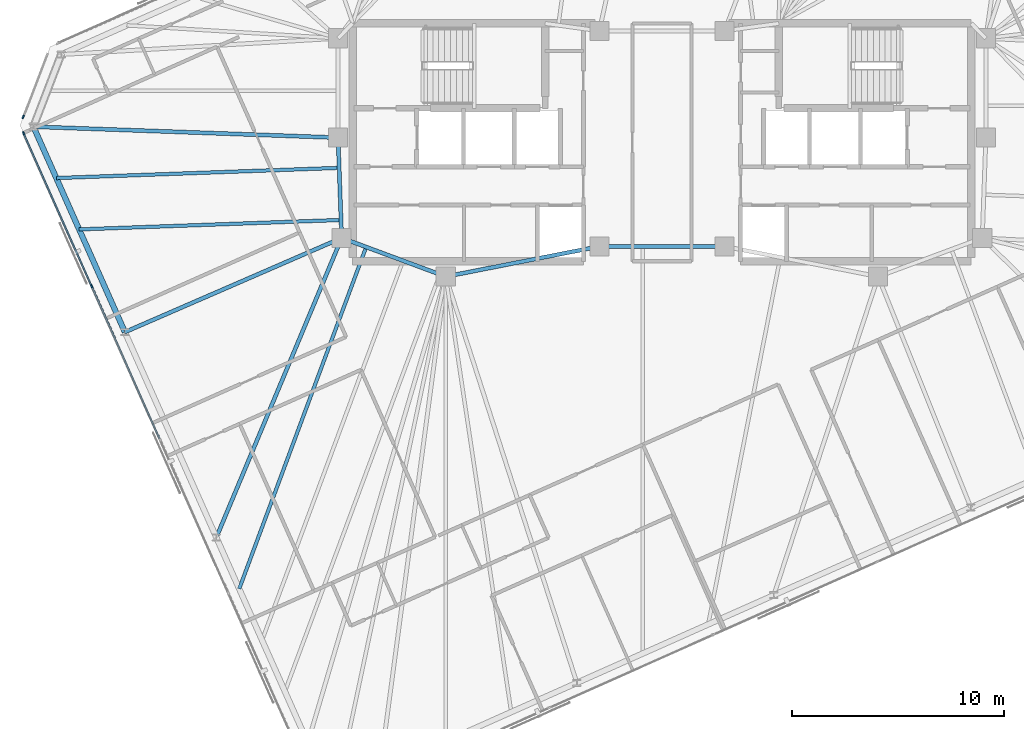
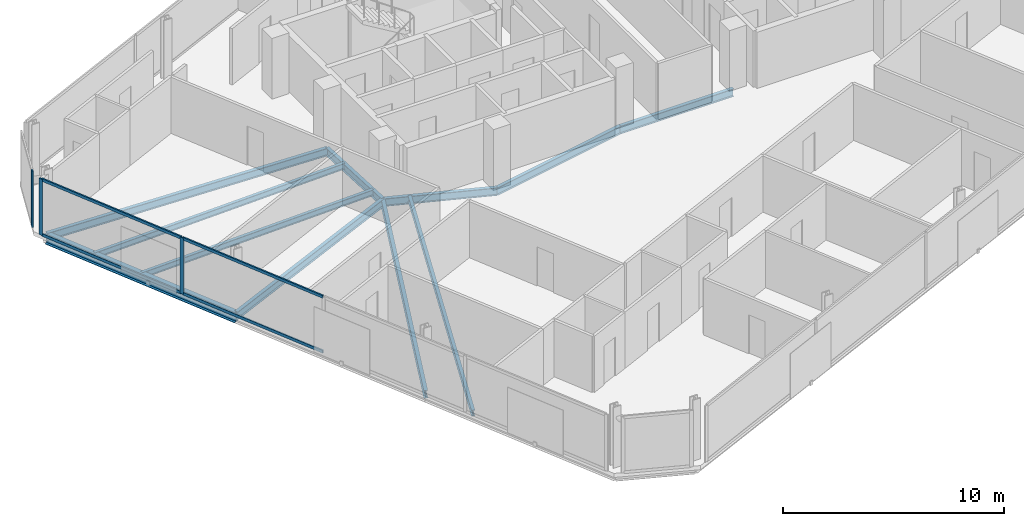
# One storey, part 6 of 18: 11 beams, 7 members, 2 elements without a shape of their own.
"""IFC4 building model written with IfcOpenShell, lengths in metres."""

from ifc_helpers import new_model, si_unit, direction, frame, origin, origin_2d, place, context, subcontext, project, spatial, rectangle, i_section, extrude, material, material_profile, profile_set, type_object, element, aggregate, save


model = new_model("IFC4")

# Units and contexts
model_context = context("Model", 3, precision=1e-05, world=origin(), true_north=direction((0.0, 1.0)))
body_context = subcontext(model_context, "Body", "Model", "MODEL_VIEW")
ifc_project = project(units=[si_unit("LENGTHUNIT", "METRE"), si_unit("AREAUNIT", "SQUARE_METRE"), si_unit("VOLUMEUNIT", "CUBIC_METRE"), si_unit("PLANEANGLEUNIT", "RADIAN"), si_unit("MASSUNIT", "GRAM", prefix="KILO")], contexts=[model_context])

# Site, building, storey
site_placement = place(None, origin())
site = spatial("IfcSite", under=ifc_project, at=site_placement, CompositionType="ELEMENT")
building_placement = place(site_placement, origin())
building = spatial("IfcBuilding", under=site, at=building_placement, Name="Menara Jurai Vektor", CompositionType="ELEMENT")
storey_placement = place(building_placement, frame((0.0, 0.0, 272.25)))
storey = spatial("IfcBuildingStorey", under=building, at=storey_placement, Name="L73", CompositionType="ELEMENT", Elevation=272.25)

# Curtain wall, member
ifc_material_1 = material(Name="Anodised Pale Aluminium & Low-E Double Glazing", Category="aluminium")
curtain_wall_type = type_object("IfcCurtainWallType", Name="CW-BLK5", PredefinedType="NOTDEFINED", material=ifc_material_1)
curtain_wall_1_placement = place(storey_placement, origin())
curtain_wall_1 = element("IfcCurtainWall", 1, at=curtain_wall_1_placement, inside=storey, type_object=curtain_wall_type, Name="Unitised Curtain Wall L73 F06", PredefinedType="NOTDEFINED")
ifc_material_2 = material(Name="Anodised Pale Aluminium Mullion", Category="aluminium")
ifc_material_profile_1 = material_profile(ifc_material_2, rectangle(XDim=0.074951171875, YDim=0.175048828125, at=origin_2d()), Name="ALU MUL 75x175")
ifc_profile_set_1 = profile_set([ifc_material_profile_1], Name="Anodised Pale Aluminium Mullion")
member_type_1 = type_object("IfcMemberType", Name="CW-BLK5-MUL", PredefinedType="MULLION", material=ifc_profile_set_1)
member_1_placement = place(storey_placement, frame((-30.075439453125, 1.197265625, 0.0), z_axis=(0.0, 0.0, 1.0), x_axis=(0.933578193639, -0.358373766287, 0.0)))
member_1 = element("IfcMember", 2, at=member_1_placement, type_object=member_type_1, Name="CW-05 mullion 2", PredefinedType="MULLION", context=body_context, shape_type="SweptSolid", body=[
    extrude(rectangle(XDim=0.074951171875, YDim=0.175048828125, at=origin_2d()), origin(), (0.0, 0.0, 1.0), 3.10009765625),
])
aggregate(curtain_wall_1, [member_1])

# Curtain wall, members
curtain_wall_2_placement = place(storey_placement, origin())
curtain_wall_2 = element("IfcCurtainWall", 3, at=curtain_wall_2_placement, inside=storey, type_object=curtain_wall_type, Name="Unitised Curtain Wall L73 F07", PredefinedType="NOTDEFINED")
member_2_placement = place(storey_placement, frame((-30.055419921875, 0.426025390625, 0.0), z_axis=(0.0, 0.0, 1.0), x_axis=(0.913546127706, 0.406735138086, 0.0)))
member_2 = element("IfcMember", 4, at=member_2_placement, type_object=member_type_1, Name="CW-05 mullion 1", PredefinedType="MULLION", context=body_context, shape_type="SweptSolid", body=[
    extrude(rectangle(XDim=0.074951171875, YDim=0.175048828125, at=origin_2d()), origin(), (0.0, 0.0, 1.0), 3.10009765625),
])
member_3_placement = place(storey_placement, frame((-26.853271484375, -6.765869140625, 0.0), z_axis=(0.0, 0.0, 1.0), x_axis=(0.913546127706, 0.406735138086, 0.0)))
member_3 = element("IfcMember", 5, at=member_3_placement, type_object=member_type_1, Name="CW-05 mullion 2", PredefinedType="MULLION", context=body_context, shape_type="SweptSolid", body=[
    extrude(rectangle(XDim=0.074951171875, YDim=0.175048828125, at=origin_2d()), origin(), (0.0, 0.0, 1.0), 3.10009765625),
])
ifc_material_3 = material(Name="Anodised Pale Aluminium Transom", Category="aluminium")
ifc_material_profile_2 = material_profile(ifc_material_3, rectangle(XDim=0.074951171875, YDim=0.155029296875, at=origin_2d()), Name="ALU TRN 75x155")
ifc_profile_set_2 = profile_set([ifc_material_profile_2], Name="Anodised Pale Aluminium Transom")
member_type_2 = type_object("IfcMemberType", Name="CW-BLK5-TRN", PredefinedType="USERDEFINED", material=ifc_profile_set_2)
member_4_placement = place(storey_placement, frame((-30.0400390625, 0.391845703125, 0.03759765625), z_axis=(0.406713581109, -0.913555725143, 0.0), x_axis=(0.913555725143, 0.406713581109, 0.0)))
member_4 = element("IfcMember", 6, at=member_4_placement, type_object=member_type_2, Name="CW-05 transom 1.1", ObjectType="TRANSOM", PredefinedType="USERDEFINED", context=body_context, shape_type="SweptSolid", body=[
    extrude(rectangle(XDim=0.074951171875, YDim=0.155029296875, at=origin_2d()), origin(), (0.0, 0.0, 1.0), 7.797607421875),
])
member_5_placement = place(storey_placement, frame((-30.0400390625, 0.391845703125, 3.0625), z_axis=(0.406713581109, -0.913555725143, 0.0), x_axis=(0.913555725143, 0.406713581109, 0.0)))
member_5 = element("IfcMember", 7, at=member_5_placement, type_object=member_type_2, Name="CW-05 transom 1.2", ObjectType="TRANSOM", PredefinedType="USERDEFINED", context=body_context, shape_type="SweptSolid", body=[
    extrude(rectangle(XDim=0.074951171875, YDim=0.155029296875, at=origin_2d()), origin(), (0.0, 0.0, 1.0), 7.797607421875),
])
member_6_placement = place(storey_placement, frame((-26.838134765625, -6.800048828125, 0.03759765625), z_axis=(0.406731062496, -0.913547942256, 0.0), x_axis=(0.913547942256, 0.406731062496, 0.0)))
member_6 = element("IfcMember", 8, at=member_6_placement, type_object=member_type_2, Name="CW-05 transom 2.1", ObjectType="TRANSOM", PredefinedType="USERDEFINED", context=body_context, shape_type="SweptSolid", body=[
    extrude(rectangle(XDim=0.074951171875, YDim=0.155029296875, at=origin_2d()), origin(), (0.0, 0.0, 1.0), 7.8349609375),
])
member_7_placement = place(storey_placement, frame((-26.838134765625, -6.800048828125, 3.0625), z_axis=(0.406731062496, -0.913547942256, 0.0), x_axis=(0.913547942256, 0.406731062496, 0.0)))
member_7 = element("IfcMember", 9, at=member_7_placement, type_object=member_type_2, Name="CW-05 transom 2.2", ObjectType="TRANSOM", PredefinedType="USERDEFINED", context=body_context, shape_type="SweptSolid", body=[
    extrude(rectangle(XDim=0.074951171875, YDim=0.155029296875, at=origin_2d()), origin(), (0.0, 0.0, 1.0), 7.8349609375),
])
aggregate(curtain_wall_2, [member_2, member_3, member_4, member_5, member_6, member_7])

# Beams
ifc_material_4 = material(Name="Steel S355", Category="steel")
ifc_material_profile_3 = material_profile(ifc_material_4, i_section(OverallWidth=0.18505859375, OverallDepth=0.429931640625, WebThickness=0.010986328125, FlangeThickness=0.01806640625, at=origin_2d()), Name="PG 430x185x76")
ifc_profile_set_3 = profile_set([ifc_material_profile_3], Name="Steel S355")
beam_type_1 = type_object("IfcBeamType", Name="STR-BM-430", PredefinedType="BEAM", material=ifc_profile_set_3)
beam_1_placement = place(storey_placement, frame((-15.080078125, -4.5, -0.43994140625), z_axis=(-0.035977314146, 0.999352606874, 0.0), x_axis=(-0.999352606874, -0.035977314146, 0.0)))
element("IfcBeam", 10, at=beam_1_placement, inside=storey, type_object=beam_type_1, Name="Core Ring Header Girder L73-CHW-W2", PredefinedType="BEAM", context=body_context, shape_type="SweptSolid", body=[
    extrude(i_section(OverallWidth=0.18505859375, OverallDepth=0.429931640625, WebThickness=0.010986328125, FlangeThickness=0.01806640625, at=origin_2d()), origin(), (0.0, 0.0, 1.0), 4.72314453125),
])
beam_2_placement = place(storey_placement, frame((-15.080078125, -4.5, -0.43994140625), z_axis=(0.937424400887, -0.348188874925, 0.0), x_axis=(0.348188874925, 0.937424400887, 0.0)))
element("IfcBeam", 11, at=beam_2_placement, inside=storey, type_object=beam_type_1, Name="Core Ring Header Girder L73-CHW-S1", PredefinedType="BEAM", context=body_context, shape_type="SweptSolid", body=[
    extrude(i_section(OverallWidth=0.18505859375, OverallDepth=0.429931640625, WebThickness=0.010986328125, FlangeThickness=0.01806640625, at=origin_2d()), origin(), (0.0, 0.0, 1.0), 5.227294921875),
])
beam_3_placement = place(storey_placement, frame((-10.179931640625, -6.320068359375, -0.43994140625), z_axis=(0.981249044334, 0.192744164614, 0.0), x_axis=(-0.192744164614, 0.981249044334, 0.0)))
element("IfcBeam", 12, at=beam_3_placement, inside=storey, type_object=beam_type_1, Name="Core Ring Header Girder L73-CHW-S2", PredefinedType="BEAM", context=body_context, shape_type="SweptSolid", body=[
    extrude(i_section(OverallWidth=0.18505859375, OverallDepth=0.429931640625, WebThickness=0.010986328125, FlangeThickness=0.01806640625, at=origin_2d()), origin(), (0.0, 0.0, 1.0), 7.3681640625),
])
beam_4_placement = place(storey_placement, frame((-2.949951171875, -4.89990234375, -0.43994140625), z_axis=(1.0, 0.0, 0.0), x_axis=(0.0, 1.0, 0.0)))
element("IfcBeam", 13, at=beam_4_placement, inside=storey, type_object=beam_type_1, Name="Core Ring Header Girder L73-CC-1", PredefinedType="BEAM", context=body_context, shape_type="SweptSolid", body=[
    extrude(i_section(OverallWidth=0.18505859375, OverallDepth=0.429931640625, WebThickness=0.010986328125, FlangeThickness=0.01806640625, at=origin_2d()), origin(), (0.0, 0.0, 1.0), 5.89990234375),
])
beam_5_placement = place(storey_placement, frame((-29.591796875, 0.73681640625, -0.43994140625), z_axis=(0.999351273077, -0.03601434436, 0.0), x_axis=(0.03601434436, 0.999351273077, 0.0)))
element("IfcBeam", 14, at=beam_5_placement, inside=storey, type_object=beam_type_1, Name="Radial Floor Girder L73-W1", PredefinedType="BEAM", context=body_context, shape_type="SweptSolid", body=[
    extrude(i_section(OverallWidth=0.18505859375, OverallDepth=0.429931640625, WebThickness=0.010986328125, FlangeThickness=0.01806640625, at=origin_2d()), origin(), (0.0, 0.0, 1.0), 14.35107421875),
])
beam_6_placement = place(storey_placement, frame((-25.286376953125, -8.933349609375, -0.43994140625), z_axis=(0.917207084259, 0.398410798781, 0.0), x_axis=(-0.398410798781, 0.917207084259, 0.0)))
element("IfcBeam", 15, at=beam_6_placement, inside=storey, type_object=beam_type_1, Name="Radial Floor Girder L73-W2", PredefinedType="BEAM", context=body_context, shape_type="SweptSolid", body=[
    extrude(i_section(OverallWidth=0.18505859375, OverallDepth=0.429931640625, WebThickness=0.010986328125, FlangeThickness=0.01806640625, at=origin_2d()), origin(), (0.0, 0.0, 1.0), 11.127685546875),
])
beam_7_placement = place(storey_placement, frame((-20.98095703125, -18.603271484375, -0.43994140625), z_axis=(0.38598134247, 0.922506587112, 0.0), x_axis=(-0.922506587112, 0.38598134247, 0.0)))
element("IfcBeam", 16, at=beam_7_placement, inside=storey, type_object=beam_type_1, Name="Radial Floor Girder L73-W3", PredefinedType="BEAM", context=body_context, shape_type="SweptSolid", body=[
    extrude(i_section(OverallWidth=0.18505859375, OverallDepth=0.429931640625, WebThickness=0.010986328125, FlangeThickness=0.01806640625, at=origin_2d()), origin(), (0.0, 0.0, 1.0), 15.2880859375),
])
ifc_material_profile_4 = material_profile(ifc_material_4, i_section(OverallWidth=0.1650390625, OverallDepth=0.330078125, WebThickness=0.009033203125, FlangeThickness=0.013916015625, at=origin_2d()), Name="PG 330x165x46")
ifc_profile_set_4 = profile_set([ifc_material_profile_4], Name="Steel S355")
beam_type_2 = type_object("IfcBeamType", Name="STR-JS-330", PredefinedType="JOIST", material=ifc_profile_set_4)
beam_8_placement = place(storey_placement, frame((-28.515380859375, -1.6806640625, -0.389892578125), z_axis=(0.999352378837, 0.035983647851, 0.0), x_axis=(-0.035983647851, 0.999352378837, 0.0)))
element("IfcBeam", 17, at=beam_8_placement, inside=storey, type_object=beam_type_2, Name="Radial Secondary Floor Joist L73-JS26", PredefinedType="JOIST", context=body_context, shape_type="SweptSolid", body=[
    extrude(i_section(OverallWidth=0.1650390625, OverallDepth=0.330078125, WebThickness=0.009033203125, FlangeThickness=0.013916015625, at=origin_2d()), origin(), (0.0, 0.0, 1.0), 13.3251953125),
])
beam_9_placement = place(storey_placement, frame((-27.43896484375, -4.09814453125, -0.389892578125), z_axis=(0.999352552329, 0.03597882924, 0.0), x_axis=(-0.03597882924, 0.999352552329, 0.0)))
element("IfcBeam", 18, at=beam_9_placement, inside=storey, type_object=beam_type_2, Name="Radial Secondary Floor Joist L73-JS27", PredefinedType="JOIST", context=body_context, shape_type="SweptSolid", body=[
    extrude(i_section(OverallWidth=0.1650390625, OverallDepth=0.330078125, WebThickness=0.009033203125, FlangeThickness=0.013916015625, at=origin_2d()), origin(), (0.0, 0.0, 1.0), 12.33642578125),
])
beam_10_placement = place(storey_placement, frame((-19.904541015625, -21.020751953125, -0.389892578125), z_axis=(0.348190100331, 0.937423945732, 0.0), x_axis=(-0.937423945732, 0.348190100331, 0.0)))
element("IfcBeam", 19, at=beam_10_placement, inside=storey, type_object=beam_type_2, Name="Radial Secondary Floor Joist L73-JS28", PredefinedType="JOIST", context=body_context, shape_type="SweptSolid", body=[
    extrude(i_section(OverallWidth=0.1650390625, OverallDepth=0.330078125, WebThickness=0.009033203125, FlangeThickness=0.013916015625, at=origin_2d()), origin(), (0.0, 0.0, 1.0), 17.166748046875),
])
ifc_material_profile_5 = material_profile(ifc_material_4, i_section(OverallWidth=0.260009765625, OverallDepth=0.570068359375, WebThickness=0.013916015625, FlangeThickness=0.02392578125, at=origin_2d()), Name="PG 570x260x145")
ifc_profile_set_5 = profile_set([ifc_material_profile_5], Name="Steel S355")
beam_type_3 = type_object("IfcBeamType", Name="STR-SP-570", PredefinedType="SPANDREL", material=ifc_profile_set_5)
beam_11_placement = place(storey_placement, frame((-29.591796875, 0.73681640625, -0.510009765625), z_axis=(0.40673543049, -0.91354599752, 0.0), x_axis=(0.91354599752, 0.40673543049, 0.0)))
element("IfcBeam", 20, at=beam_11_placement, inside=storey, type_object=beam_type_3, Name="Exoskeleton Spandrel Beam L73-17", PredefinedType="SPANDREL", context=body_context, shape_type="SweptSolid", body=[
    extrude(i_section(OverallWidth=0.260009765625, OverallDepth=0.570068359375, WebThickness=0.013916015625, FlangeThickness=0.02392578125, at=origin_2d()), origin(), (0.0, 0.0, 1.0), 10.585205078125),
])

save(model, "model.ifc")
